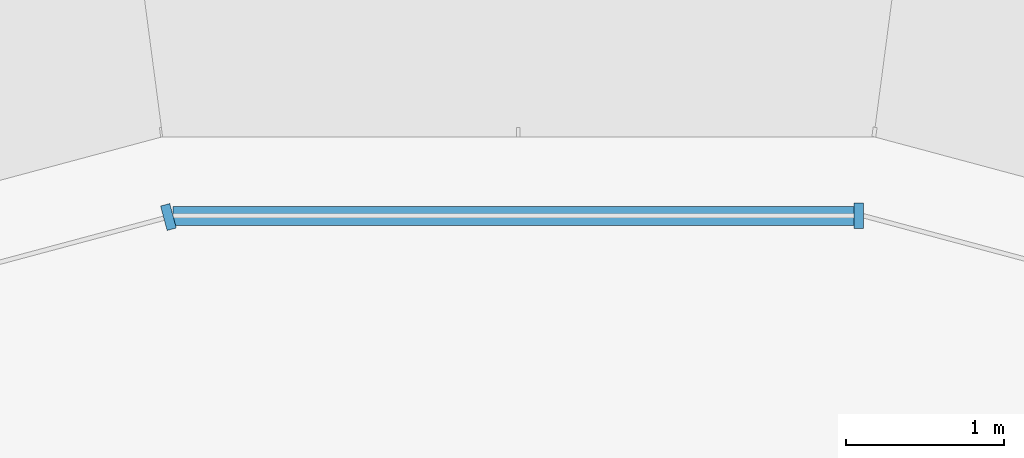
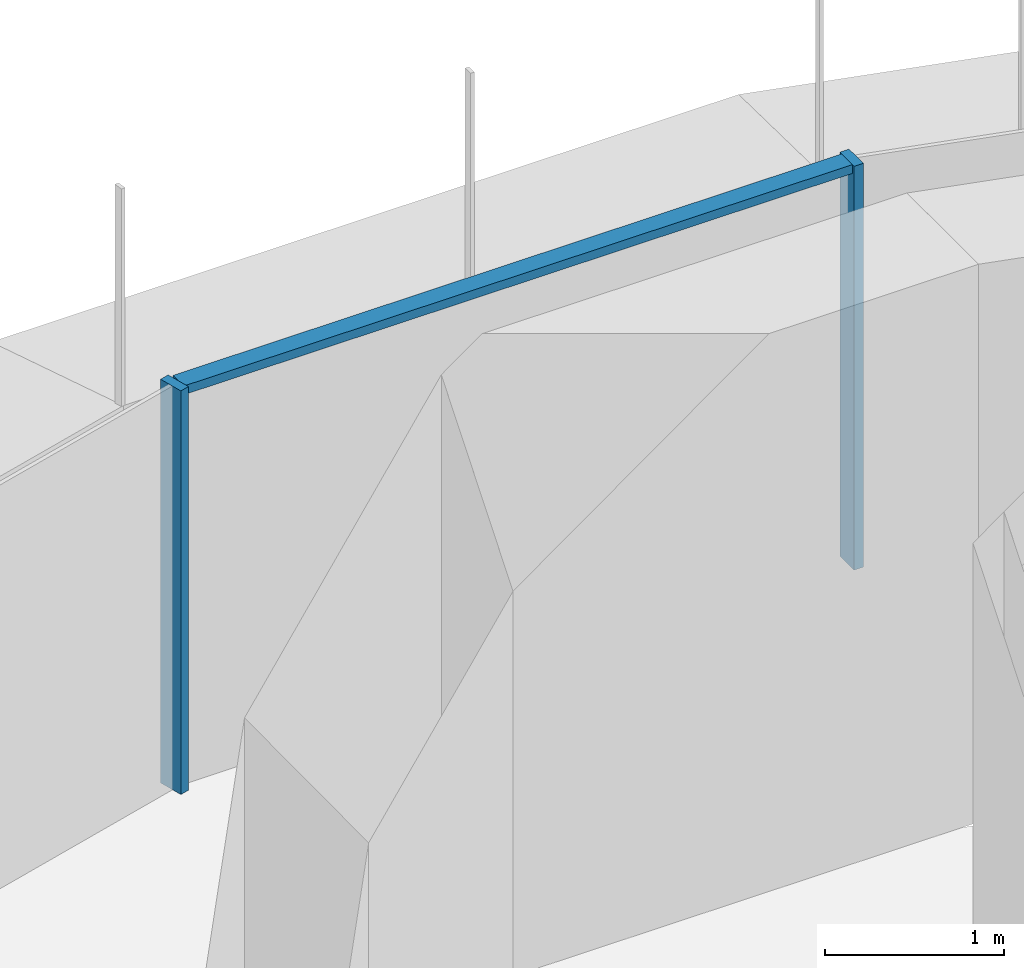
# One storey, part 11 of 22: 3 members, 2 elements without a shape of their own.
"""IFC4 building model written with IfcOpenShell, lengths in metres."""

import ifcopenshell
import ifcopenshell.guid

model = None  # the IFC model being written
_history = None  # IfcOwnerHistory: only IFC2X3 demands one
_inside = {}  # id of a spatial element -> (the spatial element, [elements in it])
_under = {}  # id of a project, library or spatial element -> (it, [spatial elements below it])
_declared = {}  # id of a project -> (the project, [libraries it declares])
_typed = {}  # id of a type object -> (the type object, [elements of that type])
_made_of = {}  # id of a material, layer set ... -> (it, [elements and type objects made of it])


def new_model(schema):
    """Start an empty IFC model of exactly this schema.

    Asked for "IFC4X3", IfcOpenShell would pick the latest addendum, in which some entities
    have other attributes; the version numbers below select the first issue.
    IFC2X3 requires an IfcOwnerHistory on every rooted entity: one is made here for all.
    """
    global model, _history
    if schema == "IFC4X3":
        model = ifcopenshell.file(schema_version=(4, 3, 0, 0))
    else:
        model = ifcopenshell.file(schema=schema)
    _inside.clear()
    _under.clear()
    _declared.clear()
    _typed.clear()
    _made_of.clear()
    _history = None
    if model.schema == "IFC2X3":
        org = make("IfcOrganization", Name="unknown")
        user = make(
            "IfcPersonAndOrganization",
            ThePerson=make("IfcPerson", FamilyName="unknown"),
            TheOrganization=org,
        )
        app = make(
            "IfcApplication",
            ApplicationDeveloper=org,
            Version="unknown",
            ApplicationFullName="unknown",
            ApplicationIdentifier="unknown",
        )
        _history = make(
            "IfcOwnerHistory",
            OwningUser=user,
            OwningApplication=app,
            ChangeAction="ADDED",
            CreationDate=0,
        )
    return model


def make(cls, **values):
    """One entity of the class cls with the attributes given. An attribute that is None is left unset."""
    return model.create_entity(
        cls, **{name: value for name, value in values.items() if value is not None}
    )


def rooted(cls, **values):
    """An entity with a GlobalId (a new one), such as an element, a storey or a relation."""
    return make(cls, GlobalId=ifcopenshell.guid.new(), OwnerHistory=_history, **values)


def si_unit(unit_type, name, prefix=None):
    """IfcSIUnit, for example si_unit("LENGTHUNIT", "METRE", prefix="MILLI")."""
    return make("IfcSIUnit", UnitType=unit_type, Prefix=prefix, Name=name)


def assignment(units):
    """IfcUnitAssignment: the units of a project."""
    return None if units is None else make("IfcUnitAssignment", Units=units)


def point(xyz):
    """IfcCartesianPoint."""
    return None if xyz is None else make("IfcCartesianPoint", Coordinates=xyz)


def direction(xyz):
    """IfcDirection."""
    return None if xyz is None else make("IfcDirection", DirectionRatios=xyz)


def frame(location, z_axis=None, x_axis=None):
    """IfcAxis2Placement3D, a coordinate frame: its origin and axes. An axis left out is left unset."""
    return make(
        "IfcAxis2Placement3D",
        Location=point(location),
        Axis=direction(z_axis),
        RefDirection=direction(x_axis),
    )


def origin():
    """The frame at (0, 0, 0) with its axes left unset."""
    return frame((0.0, 0.0, 0.0))


def place(relative_to, where):
    """IfcLocalPlacement: puts the frame where relative to a parent placement (None: the world)."""
    return make(
        "IfcLocalPlacement", PlacementRelTo=relative_to, RelativePlacement=where
    )


def context(
    kind, dimensions, precision=None, world=None, true_north=None, identifier=None
):
    """IfcGeometricRepresentationContext, for example the 3D "Model" context."""
    return make(
        "IfcGeometricRepresentationContext",
        ContextIdentifier=identifier,
        ContextType=kind,
        CoordinateSpaceDimension=dimensions,
        Precision=precision,
        WorldCoordinateSystem=world,
        TrueNorth=true_north,
    )


def subcontext(parent, identifier, kind, view, scale=None):
    """IfcGeometricRepresentationSubContext, for example "Body" below "Model"."""
    return make(
        "IfcGeometricRepresentationSubContext",
        ContextIdentifier=identifier,
        ContextType=kind,
        ParentContext=parent,
        TargetScale=scale,
        TargetView=view,
    )


def project(units=None, contexts=None):
    """IfcProject with its units and contexts."""
    return rooted(
        "IfcProject",
        Name="project",
        RepresentationContexts=contexts,
        UnitsInContext=assignment(units),
    )


def spatial(cls, under=None, at=None, **own):
    """A site, building, storey or space (cls), placed at a placement, below another one or the project."""
    s = rooted(cls, ObjectPlacement=at, **own)
    if under is not None:
        _under.setdefault(under.id(), (under, []))[1].append(s)
    return s


def polyline(points):
    """IfcPolyline through the points."""
    return make("IfcPolyline", Points=[point(p) for p in points])


def outline(outer, holes=None, kind="AREA"):
    """IfcArbitraryClosedProfileDef: a profile drawn as a closed curve; with holes, ...WithVoids."""
    if holes is None:
        return make("IfcArbitraryClosedProfileDef", ProfileType=kind, OuterCurve=outer)
    return make(
        "IfcArbitraryProfileDefWithVoids",
        ProfileType=kind,
        OuterCurve=outer,
        InnerCurves=holes,
    )


def extrude(swept, where, along, depth):
    """IfcExtrudedAreaSolid: the profile swept, set in the frame where, extruded along a direction by depth."""
    return make(
        "IfcExtrudedAreaSolid",
        SweptArea=swept,
        Position=where,
        ExtrudedDirection=direction(along),
        Depth=depth,
    )


def shape(context_of_items, identifier, shape_type, items):
    """IfcShapeRepresentation: the items that make up one representation, for example the "Body"."""
    return make(
        "IfcShapeRepresentation",
        ContextOfItems=context_of_items,
        RepresentationIdentifier=identifier,
        RepresentationType=shape_type,
        Items=items,
    )


def source(mapping_origin, context_of_items, identifier, shape_type, items):
    """IfcRepresentationMap: a shape defined once, which mapped items show again and again."""
    return make(
        "IfcRepresentationMap",
        MappingOrigin=mapping_origin,
        MappedRepresentation=shape(context_of_items, identifier, shape_type, items),
    )


def transform(
    local_origin,
    x_axis=None,
    y_axis=None,
    z_axis=None,
    scale=None,
    scale2=None,
    scale3=None,
    uniform=True,
):
    """IfcCartesianTransformationOperator3D, or its non-uniform kind. x_axis, y_axis, z_axis: its Axis1, 2, 3."""
    if uniform:
        return make(
            "IfcCartesianTransformationOperator3D",
            Axis1=direction(x_axis),
            Axis2=direction(y_axis),
            LocalOrigin=point(local_origin),
            Scale=scale,
            Axis3=direction(z_axis),
        )
    return make(
        "IfcCartesianTransformationOperator3DnonUniform",
        Axis1=direction(x_axis),
        Axis2=direction(y_axis),
        LocalOrigin=point(local_origin),
        Scale=scale,
        Axis3=direction(z_axis),
        Scale2=scale2,
        Scale3=scale3,
    )


def mapped(mapping_source, mapping_target):
    """IfcMappedItem: shows the shape of a source again, moved by a transform."""
    return make(
        "IfcMappedItem", MappingSource=mapping_source, MappingTarget=mapping_target
    )


def material(Name=None, Category=None):
    """IfcMaterial."""
    return make("IfcMaterial", Name=Name, Category=Category)


def made_of(thing, what):
    """Note that an element or type object is made of a material, layer set ...; save() writes the relation."""
    if what is not None:
        _made_of.setdefault(what.id(), (what, []))[1].append(thing)
    return thing


def type_object(cls, material=None, **own):
    """A type object (cls), such as IfcWallType, which elements share."""
    return made_of(rooted(cls, **own), material)


def element(
    cls,
    number,
    at=None,
    inside=None,
    cuts=None,
    type_object=None,
    material=None,
    context=None,
    identifier="Body",
    shape_type=None,
    held_by="IfcProductDefinitionShape",
    body=None,
    shapes=None,
    **own,
):
    """One element of the class cls, such as IfcWall. Its Tag is "e" and its number.

    at: its placement. inside: the storey or other place that contains it. cuts: it is an
    opening in that element (IfcRelVoidsElement). A single representation is given by context,
    identifier, shape_type and body (its items); several are given by shapes. held_by: the class
    of the entity that holds the representations. save() writes the other relations.
    """
    e = rooted(cls, Tag="e%d" % number, ObjectPlacement=at, **own)
    if body is not None:
        shapes = [shape(context, identifier, shape_type, body)]
    if shapes is not None:
        e.Representation = make(held_by, Representations=shapes)
    if inside is not None:
        _inside.setdefault(inside.id(), (inside, []))[1].append(e)
    if cuts is not None:
        rooted(
            "IfcRelVoidsElement", RelatingBuildingElement=cuts, RelatedOpeningElement=e
        )
    if type_object is not None:
        _typed.setdefault(type_object.id(), (type_object, []))[1].append(e)
    return made_of(e, material)


def aggregate(whole, parts):
    """IfcRelAggregates: a whole, such as a stair, and the parts it consists of."""
    return rooted("IfcRelAggregates", RelatingObject=whole, RelatedObjects=parts)


def save(model, path):
    """Write the relations noted so far, then the file.

    IfcRelAggregates (storeys below a building ...), IfcRelContainedInSpatialStructure (elements
    in a storey), IfcRelDefinesByType, IfcRelAssociatesMaterial and IfcRelDeclares: one each for
    every whole, place, type object, material and project.
    """
    for whole, parts in _under.values():
        aggregate(whole, parts)
    for where, things in _inside.values():
        rooted(
            "IfcRelContainedInSpatialStructure",
            RelatedElements=things,
            RelatingStructure=where,
        )
    for kind, things in _typed.values():
        rooted("IfcRelDefinesByType", RelatedObjects=things, RelatingType=kind)
    for what, things in _made_of.values():
        rooted("IfcRelAssociatesMaterial", RelatedObjects=things, RelatingMaterial=what)
    for by, libraries in _declared.values():
        rooted("IfcRelDeclares", RelatingContext=by, RelatedDefinitions=libraries)
    model.write(path)


model = new_model("IFC4")

# Units and contexts
model_context = context("Model", 3, precision=1e-05, world=origin(), true_north=direction((0.0, 1.0)))
body_context = subcontext(model_context, "Body", "Model", "MODEL_VIEW")
ifc_project = project(units=[si_unit("LENGTHUNIT", "METRE"), si_unit("AREAUNIT", "SQUARE_METRE"), si_unit("VOLUMEUNIT", "CUBIC_METRE"), si_unit("PLANEANGLEUNIT", "RADIAN"), si_unit("MASSUNIT", "GRAM", prefix="KILO")], contexts=[model_context])

# Site, building, storey
site_placement = place(None, origin())
site = spatial("IfcSite", under=ifc_project, at=site_placement, CompositionType="ELEMENT")
building_placement = place(site_placement, origin())
building = spatial("IfcBuilding", under=site, at=building_placement, Name="Zarbagh Exchange Tower", CompositionType="ELEMENT")
storey_placement = place(building_placement, frame((0.0, 0.0, 98.0)))
storey = spatial("IfcBuildingStorey", under=building, at=storey_placement, Name="L22", CompositionType="ELEMENT", Elevation=98.0)

# Curtain wall, member
ifc_material_1 = material(Name="Anodised aluminium frame and glazing", Category="aluminium")
curtain_wall_type = type_object("IfcCurtainWallType", Name="CWA Ribbon glazing, lower zones", PredefinedType="NOTDEFINED", material=ifc_material_1)
curtain_wall_1_placement = place(storey_placement, origin())
curtain_wall_1 = element("IfcCurtainWall", 1, at=curtain_wall_1_placement, inside=storey, type_object=curtain_wall_type, Name="CWA57 curtain wall", PredefinedType="NOTDEFINED")
ifc_material_2 = material(Name="Anodised aluminium frame", Category="aluminium")
member_type_1 = type_object("IfcMemberType", Name="MUA Mullion, anodised aluminium frame", PredefinedType="MULLION", material=ifc_material_2)
shared_shape_1 = source(origin(), body_context, "Body", "SweptSolid", [
    extrude(outline(polyline([(0.0, -0.080078125), (0.06005859375, -0.080078125), (0.06005859375, 0.080078125), (0.0, 0.080078125), (0.0, -0.080078125)])), origin(), (0.0, 0.0, 1.0), 2.75),
])
placement = place(storey_placement, origin())
member_1 = element("IfcMember", 2, at=placement, type_object=member_type_1, Name="CWA57 mullion 1.1", PredefinedType="MULLION", context=body_context, shape_type="MappedRepresentation", body=[
    mapped(shared_shape_1, transform((2.18408203125, 31.0, 0.0), x_axis=(-1.0, 0.0, 0.0), y_axis=(0.0, -1.0, 0.0), z_axis=(0.0, 0.0, 1.0))),
])

curtain_wall_2_placement = place(storey_placement, origin())
curtain_wall_2 = element("IfcCurtainWall", 3, at=curtain_wall_2_placement, inside=storey, type_object=curtain_wall_type, Name="CWA53 curtain wall", PredefinedType="NOTDEFINED")
member_2 = element("IfcMember", 4, at=placement, type_object=member_type_1, Name="CWA53 mullion 1.1", PredefinedType="MULLION", context=body_context, shape_type="MappedRepresentation", body=[
    mapped(shared_shape_1, transform((-2.18408203125, 31.0, 0.0), x_axis=(-0.965924289636, -0.258824779902, 0.0), y_axis=(0.258824779902, -0.965924289636, 0.0), z_axis=(0.0, 0.0, 1.0))),
])
aggregate(curtain_wall_2, [member_2])

# Member
member_type_2 = type_object("IfcMemberType", Name="TRA Transom, anodised aluminium frame", PredefinedType="USERDEFINED", material=ifc_material_2)
shared_shape_2 = source(origin(), body_context, "Body", "SweptSolid", [
    extrude(outline(polyline([(-0.06005859375, -0.06005859375), (0.0, -0.06005859375), (0.0, 0.06005859375), (-0.06005859375, 0.06005859375), (-0.06005859375, -0.06005859375)])), origin(), (0.0, 0.0, 1.0), 4.308349609375),
])
member_3 = element("IfcMember", 5, at=placement, type_object=member_type_2, Name="CWA57 transom 1.1", ObjectType="TRANSOM", PredefinedType="USERDEFINED", context=body_context, shape_type="MappedRepresentation", body=[
    mapped(shared_shape_2, transform((2.124267578125, 31.0, 2.75), x_axis=(0.0, 0.0, 1.0), y_axis=(0.0, 1.0, 0.0), z_axis=(-1.0, 0.0, 0.0))),
])

aggregate(curtain_wall_1, [member_1, member_3])

save(model, "model.ifc")
